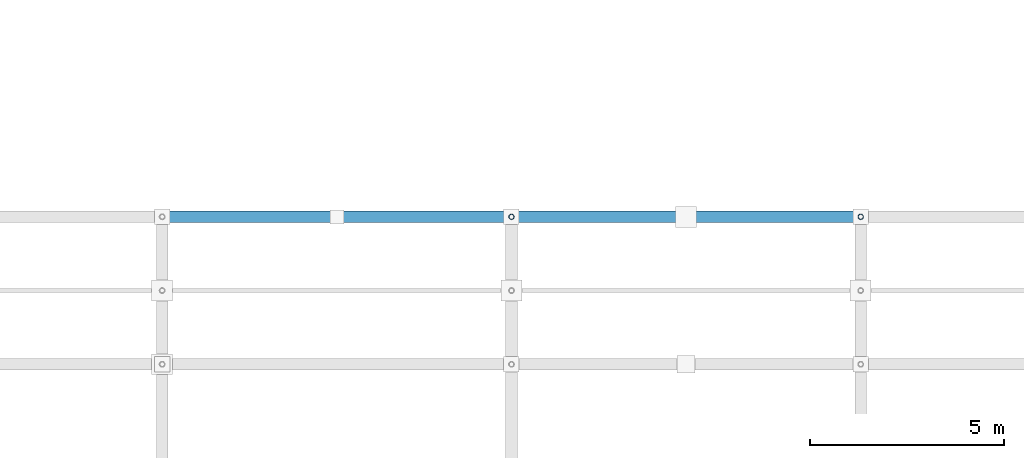
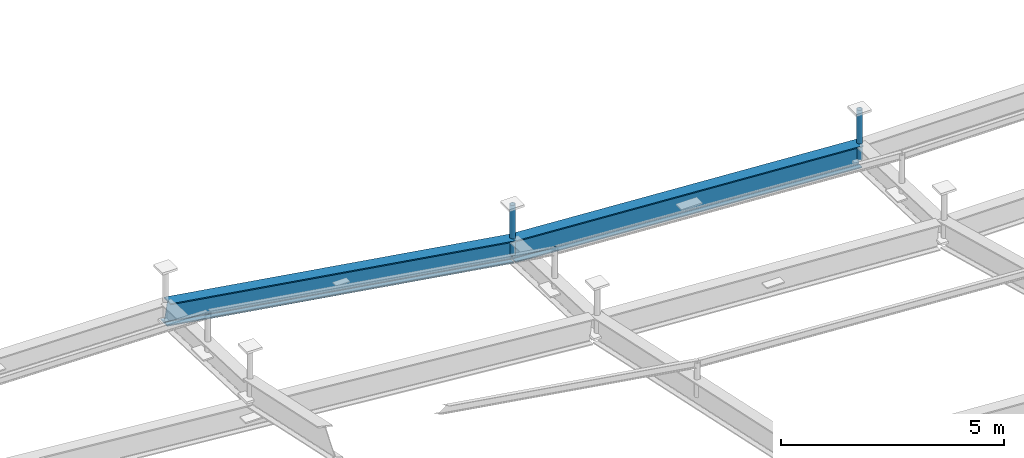
# One storey, part 61 of 80: 2 beams, 2 members.
"""IFC4 building model written with IfcOpenShell, lengths in metres."""

from ifc_helpers import new_model, si_unit, direction, frame, origin, origin_2d, place, context, subcontext, project, spatial, hollow_circle, i_section, extrude, material, material_profile, profile_set, type_object, element, save


model = new_model("IFC4")

# Units and contexts
model_context = context("Model", 3, precision=1e-05, world=origin(), true_north=direction((0.0, 1.0)))
body_context = subcontext(model_context, "Body", "Model", "MODEL_VIEW")
ifc_project = project(units=[si_unit("LENGTHUNIT", "METRE"), si_unit("AREAUNIT", "SQUARE_METRE"), si_unit("VOLUMEUNIT", "CUBIC_METRE"), si_unit("PLANEANGLEUNIT", "RADIAN"), si_unit("MASSUNIT", "GRAM", prefix="KILO")], contexts=[model_context])

# Site, building, storey
site_placement = place(None, origin())
site = spatial("IfcSite", under=ifc_project, at=site_placement, CompositionType="ELEMENT")
building_placement = place(site_placement, origin())
building = spatial("IfcBuilding", under=site, at=building_placement, Name="Barlavento Convention Centre", CompositionType="ELEMENT")
storey_placement = place(building_placement, frame((0.0, 0.0, 29.800048828125)))
storey = spatial("IfcBuildingStorey", under=building, at=storey_placement, Name="RF", CompositionType="ELEMENT", Elevation=29.800048828125)

# Beams
ifc_material = material(Name="Steel S355", Category="steel")
ifc_material_profile_1 = material_profile(ifc_material, i_section(OverallWidth=0.300048828125, OverallDepth=0.60009765625, WebThickness=0.015380859375, FlangeThickness=0.030029296875, FilletRadius=0.027099609375, at=origin_2d()), Name="HEB 600")
ifc_profile_set_1 = profile_set([ifc_material_profile_1], Name="Steel S355")
beam_type = type_object("IfcBeamType", Name="STR-BM-CANT-HEB600", PredefinedType="BEAM", material=ifc_profile_set_1)
beam_1_placement = place(storey_placement, frame((9.0048828125, 57.800048828125, -5.043701171875), z_axis=(0.987879711266, 0.0, -0.155221377617), x_axis=(0.0, 1.0, 0.0)))
element("IfcBeam", 1, at=beam_1_placement, inside=storey, type_object=beam_type, Name="Congress roof truss space frame chord", PredefinedType="BEAM", context=body_context, shape_type="SweptSolid", body=[
    extrude(i_section(OverallWidth=0.300048828125, OverallDepth=0.60009765625, WebThickness=0.015380859375, FlangeThickness=0.030029296875, FilletRadius=0.027099609375, at=origin_2d()), origin(), (0.0, 0.0, 1.0), 9.1005859375),
])
beam_2_placement = place(storey_placement, frame((18.0048828125, 57.800048828125, -6.456298828125), z_axis=(0.998176275641, 0.0, -0.060366569787), x_axis=(0.0, 1.0, 0.0)))
element("IfcBeam", 2, at=beam_2_placement, inside=storey, type_object=beam_type, Name="Congress roof truss space frame chord", PredefinedType="BEAM", context=body_context, shape_type="SweptSolid", body=[
    extrude(i_section(OverallWidth=0.300048828125, OverallDepth=0.60009765625, WebThickness=0.015380859375, FlangeThickness=0.030029296875, FilletRadius=0.027099609375, at=origin_2d()), origin(), (0.0, 0.0, 1.0), 9.006591796875),
])

# Members
ifc_material_profile_2 = material_profile(ifc_material, hollow_circle(Radius=0.06982421875, WallThickness=0.008056640625, at=origin_2d()), Name="CHS 139.7x8.0")
ifc_profile_set_2 = profile_set([ifc_material_profile_2], Name="Steel S355")
member_type = type_object("IfcMemberType", Name="STR-MEM-DIAG-CHS139", PredefinedType="BRACE", material=ifc_profile_set_2)
for number, where, z_axis, x_axis, name in (
    (3, (18.0, 57.800048828125, -6.6064453125), (0.0, 0.0, 1.0), (1.0, 0.0, 0.0), "Congress space frame vertical node post TD04"),
    (4, (27.0, 57.800048828125, -7.150146484375), (0.0, 0.0, 1.0), (1.0, 0.0, 0.0), "Congress space frame vertical node post TD04"),
):
    element("IfcMember", number, at=place(storey_placement, frame(where, z_axis=z_axis, x_axis=x_axis)), inside=storey, type_object=member_type, Name=name, PredefinedType="BRACE", context=body_context, shape_type="SweptSolid", body=[
        extrude(hollow_circle(Radius=0.06982421875, WallThickness=0.008056640625, at=origin_2d()), origin(), (0.0, 0.0, 1.0), 1.3701171875),
    ])

save(model, "model.ifc")
